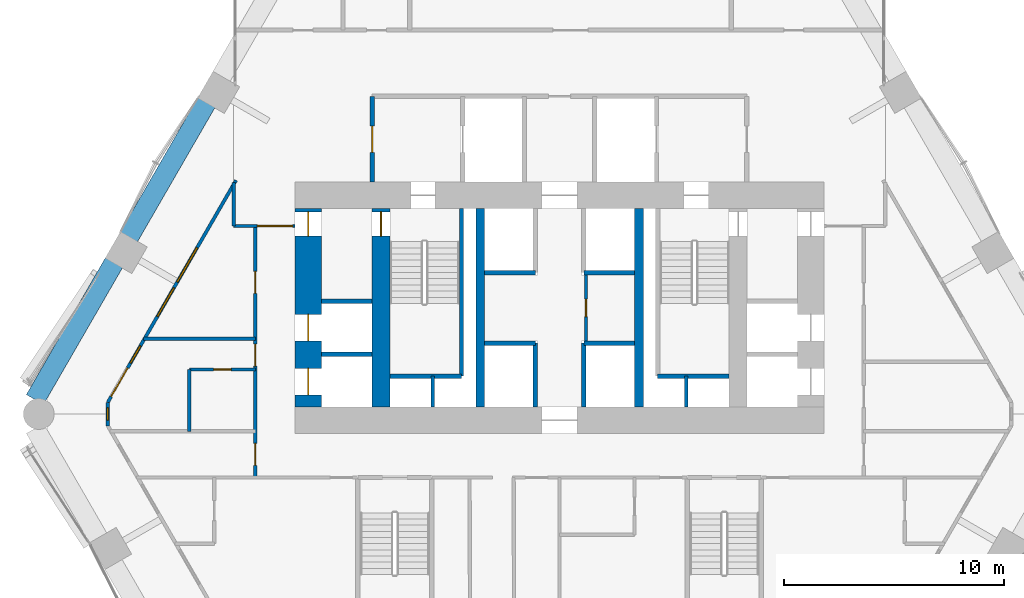
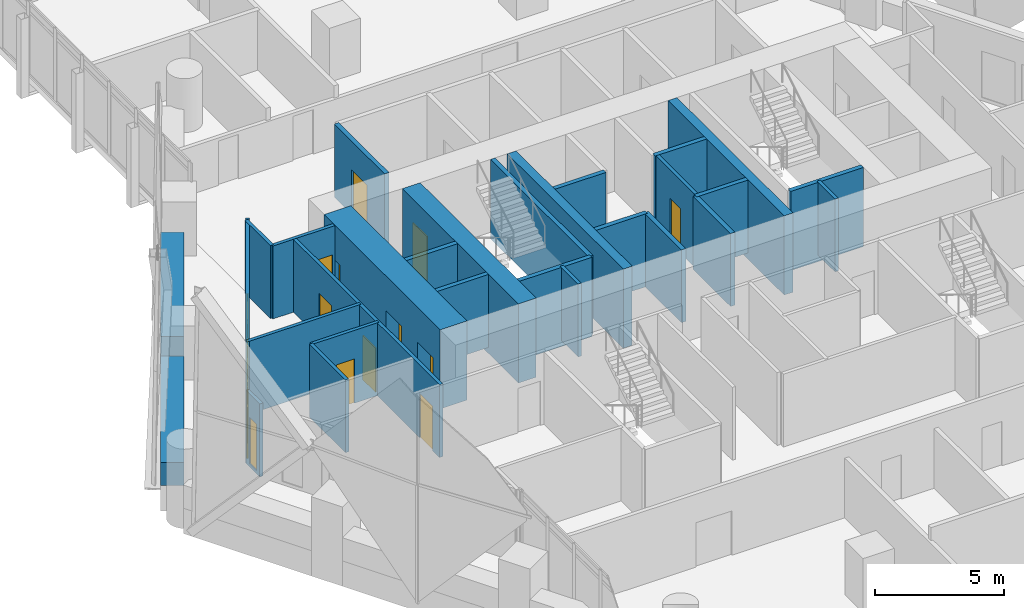
# One storey, part 28 of 35: 29 walls, 12 doors, 4 windows, 16 openings.
"""IFC4 building model written with IfcOpenShell, lengths in metres."""

from ifc_helpers import new_model, si_unit, direction, frame, frame_2d, origin, place, context, subcontext, project, spatial, rectangle, extrude, material, layer, layer_set, type_object, element, fill, save


model = new_model("IFC4")

# Units and contexts
model_context = context("Model", 3, precision=1e-05, world=origin(), true_north=direction((0.0, 1.0)))
body_context = subcontext(model_context, "Body", "Model", "MODEL_VIEW")
ifc_project = project(units=[si_unit("LENGTHUNIT", "METRE"), si_unit("AREAUNIT", "SQUARE_METRE"), si_unit("VOLUMEUNIT", "CUBIC_METRE"), si_unit("PLANEANGLEUNIT", "RADIAN"), si_unit("MASSUNIT", "GRAM", prefix="KILO")], contexts=[model_context])

# Site, building, storey
site_placement = place(None, origin())
site = spatial("IfcSite", under=ifc_project, at=site_placement, CompositionType="ELEMENT")
building_placement = place(site_placement, origin())
building = spatial("IfcBuilding", under=site, at=building_placement, Name="Ostrander Bayou Hotel Tower", CompositionType="ELEMENT")
storey_placement = place(building_placement, frame((0.0, 0.0, 69.25)))
storey = spatial("IfcBuildingStorey", under=building, at=storey_placement, Name="L17", CompositionType="ELEMENT", Elevation=69.25)

# Wall, openings, doors
ifc_material_1 = material(Name="Concrete f'c 70 MPa", Category="concrete")
ifc_layer_1 = layer(ifc_material_1, 1.199951171875)
ifc_layer_set_1 = layer_set([ifc_layer_1], Name="CW1 core wall 1200 mm f'c 70 MPa")
wall_type_1 = type_object("IfcWallType", Name="CW1 core wall 1200 mm f'c 70 MPa", PredefinedType="SHEAR", material=ifc_layer_set_1)
wall_1_placement = place(storey_placement, frame((-11.39990234375, -0.5, -0.300048828125), z_axis=(0.0, 0.0, 1.0), x_axis=(0.0, 1.0, 0.0)))
wall_1 = element("IfcWall", 1, at=wall_1_placement, inside=storey, type_object=wall_type_1, Name="CW1 L17 RW", PredefinedType="SHEAR", context=body_context, shape_type="SweptSolid", body=[
    extrude(rectangle(XDim=9.0, YDim=1.199951171875, at=frame_2d((4.5, 0.0))), origin(), (0.0, 0.0, 1.0), 3.75),
])
opening_1_placement = place(wall_1_placement, frame((7.75, 0.0, 0.0)))
opening_1 = element("IfcOpeningElement", 2, at=opening_1_placement, cuts=wall_1, Name="Opening T16-015", PredefinedType="OPENING", context=body_context, shape_type="SweptSolid", body=[
    extrude(rectangle(XDim=1.10009765625, YDim=2.10009765625, at=frame_2d((0.550048828125, 1.050048828125))), frame((0.0, 0.60009765625, 0.0), z_axis=(0.0, -1.0, 0.0), x_axis=(1.0, 0.0, 0.0)), (0.0, 0.0, 1.0), 1.199951171875),
])
opening_2_placement = place(wall_1_placement, frame((0.550048828125, 0.0, 0.0)))
opening_2 = element("IfcOpeningElement", 3, at=opening_2_placement, cuts=wall_1, Name="Opening T16-016", PredefinedType="OPENING", context=body_context, shape_type="SweptSolid", body=[
    extrude(rectangle(XDim=1.199951171875, YDim=2.10009765625, at=frame_2d((0.60009765625, 1.050048828125))), frame((0.0, 0.60009765625, 0.0), z_axis=(0.0, -1.0, 0.0), x_axis=(1.0, 0.0, 0.0)), (0.0, 0.0, 1.0), 1.199951171875),
])
opening_3_placement = place(wall_1_placement, frame((3.0, 0.0, 0.0)))
opening_3 = element("IfcOpeningElement", 4, at=opening_3_placement, cuts=wall_1, Name="Opening T16-017", PredefinedType="OPENING", context=body_context, shape_type="SweptSolid", body=[
    extrude(rectangle(XDim=1.199951171875, YDim=2.10009765625, at=frame_2d((0.60009765625, 1.050048828125))), frame((0.0, 0.60009765625, 0.0), z_axis=(0.0, -1.0, 0.0), x_axis=(1.0, 0.0, 0.0)), (0.0, 0.0, 1.0), 1.199951171875),
])
ifc_material_2 = material(Name="Timber door leaf", Category="wood")
door_type_1 = type_object("IfcDoorType", Name="D5 stair door 1100 x 2100 mm, 90 minute", OperationType="SINGLE_SWING_LEFT", PredefinedType="DOOR", material=ifc_material_2)
door_1_placement = place(opening_1_placement, origin())
door_1 = element("IfcDoor", 5, at=door_1_placement, inside=storey, type_object=door_type_1, Name="dr:L17:015", OperationType="SINGLE_SWING_LEFT", OverallHeight=2.10009765625, OverallWidth=1.10009765625, PredefinedType="DOOR", context=body_context, shape_type="SweptSolid", body=[
    extrude(rectangle(XDim=1.10009765625, YDim=2.10009765625, at=frame_2d((0.550048828125, 1.050048828125))), frame((0.0, 0.02490234375, 0.0), z_axis=(0.0, -1.0, 0.0), x_axis=(1.0, 0.0, 0.0)), (0.0, 0.0, 1.0), 0.050048828125),
])
fill(opening_1, door_1)
ifc_material_3 = material(Name="Stainless steel sliding door", Category="steel")
door_type_2 = type_object("IfcDoorType", Name="LD1 lift landing door 1200 x 2100 mm", OperationType="SINGLE_SWING_LEFT", PredefinedType="DOOR", material=ifc_material_3)
door_2_placement = place(opening_2_placement, origin())
door_2 = element("IfcDoor", 6, at=door_2_placement, inside=storey, type_object=door_type_2, Name="dr:L17:016", OperationType="SLIDING_TO_LEFT", OverallHeight=2.10009765625, OverallWidth=1.199951171875, PredefinedType="DOOR", context=body_context, shape_type="SweptSolid", body=[
    extrude(rectangle(XDim=1.199951171875, YDim=2.10009765625, at=frame_2d((0.60009765625, 1.050048828125))), frame((0.0, 0.02490234375, 0.0), z_axis=(0.0, -1.0, 0.0), x_axis=(1.0, 0.0, 0.0)), (0.0, 0.0, 1.0), 0.050048828125),
])
fill(opening_2, door_2)
door_3_placement = place(opening_3_placement, origin())
door_3 = element("IfcDoor", 7, at=door_3_placement, inside=storey, type_object=door_type_2, Name="dr:L17:017", OperationType="SLIDING_TO_LEFT", OverallHeight=2.10009765625, OverallWidth=1.199951171875, PredefinedType="DOOR", context=body_context, shape_type="SweptSolid", body=[
    extrude(rectangle(XDim=1.199951171875, YDim=2.10009765625, at=frame_2d((0.60009765625, 1.050048828125))), frame((0.0, 0.02490234375, 0.0), z_axis=(0.0, -1.0, 0.0), x_axis=(1.0, 0.0, 0.0)), (0.0, 0.0, 1.0), 0.050048828125),
])
fill(opening_3, door_3)

# Wall, opening, door
ifc_material_4 = material(Name="Concrete f'c 70 MPa", Category="concrete")
ifc_layer_2 = layer(ifc_material_4, 0.800048828125)
ifc_layer_set_2 = layer_set([ifc_layer_2], Name="CW2 core spine wall 800 mm f'c 70 MPa")
wall_type_2 = type_object("IfcWallType", Name="CW2 core spine wall 800 mm f'c 70 MPa", PredefinedType="SHEAR", material=ifc_layer_set_2)
wall_2_placement = place(storey_placement, frame((-8.10009765625, -0.5, -0.300048828125), z_axis=(0.0, 0.0, 1.0), x_axis=(0.0, 1.0, 0.0)))
wall_2 = element("IfcWall", 8, at=wall_2_placement, inside=storey, type_object=wall_type_2, Name="CW2 L17 W", PredefinedType="SHEAR", context=body_context, shape_type="SweptSolid", body=[
    extrude(rectangle(XDim=9.0, YDim=0.800048828125, at=frame_2d((4.5, 0.0))), origin(), (0.0, 0.0, 1.0), 3.75),
])
opening_4_placement = place(wall_2_placement, frame((7.75, 0.0, 0.0)))
opening_4 = element("IfcOpeningElement", 9, at=opening_4_placement, cuts=wall_2, Name="Opening T16-004", PredefinedType="OPENING", context=body_context, shape_type="SweptSolid", body=[
    extrude(rectangle(XDim=1.10009765625, YDim=2.10009765625, at=frame_2d((0.550048828125, 1.050048828125))), frame((0.0, 0.39990234375, 0.0), z_axis=(0.0, -1.0, 0.0), x_axis=(1.0, 0.0, 0.0)), (0.0, 0.0, 1.0), 0.800048828125),
])
door_4_placement = place(opening_4_placement, origin())
door_4 = element("IfcDoor", 10, at=door_4_placement, inside=storey, type_object=door_type_1, Name="dr:L17:004", OperationType="SINGLE_SWING_RIGHT", OverallHeight=2.10009765625, OverallWidth=1.10009765625, PredefinedType="DOOR", context=body_context, shape_type="SweptSolid", body=[
    extrude(rectangle(XDim=1.10009765625, YDim=2.10009765625, at=frame_2d((0.550048828125, 1.050048828125))), frame((0.0, 0.02490234375, 0.0), z_axis=(0.0, -1.0, 0.0), x_axis=(1.0, 0.0, 0.0)), (0.0, 0.0, 1.0), 0.050048828125),
])
fill(opening_4, door_4)

# Walls
ifc_material_5 = material(Name="Concrete f'c 70 MPa", Category="concrete")
ifc_layer_3 = layer(ifc_material_5, 0.39990234375)
ifc_layer_set_3 = layer_set([ifc_layer_3], Name="CW3 core bank wall 400 mm f'c 70 MPa")
wall_type_3 = type_object("IfcWallType", Name="CW3 core bank wall 400 mm f'c 70 MPa", PredefinedType="SHEAR", material=ifc_layer_set_3)
for number, where, z_axis, x_axis, name in (
    (11, (-3.60009765625, -0.5, -0.300048828125), (0.0, 0.0, 1.0), (0.0, 1.0, 0.0), "CW3 L17 CW"),
    (12, (3.60009765625, -0.5, -0.300048828125), (0.0, 0.0, 1.0), (0.0, 1.0, 0.0), "CW3 L17 CE"),
):
    element("IfcWall", number, at=place(storey_placement, frame(where, z_axis=z_axis, x_axis=x_axis)), inside=storey, type_object=wall_type_3, Name=name, PredefinedType="SHEAR", context=body_context, shape_type="SweptSolid", body=[
        extrude(rectangle(XDim=9.0, YDim=0.39990234375, at=frame_2d((4.5, 0.0))), origin(), (0.0, 0.0, 1.0), 3.75),
    ])

# Wall, openings, door, windows
ifc_material_6 = material(Name="Aluminium framed insulated wall", Category="aluminium")
ifc_layer_4 = layer(ifc_material_6, 0.14990234375)
ifc_layer_set_4 = layer_set([ifc_layer_4], Name="GW1 glass-line wall 150 mm")
wall_type_4 = type_object("IfcWallType", Name="GW1 glass-line wall 150 mm", PredefinedType="SOLIDWALL", material=ifc_layer_set_4)
wall_3_placement = place(storey_placement, frame((-14.678955078125, 9.788818359375, 0.0), z_axis=(0.0, 0.0, 1.0), x_axis=(-0.500001004067, -0.866024824085, 0.0)))
wall_3 = element("IfcWall", 13, at=wall_3_placement, inside=storey, type_object=wall_type_4, Name="GW1 L17 NW 1", PredefinedType="SOLIDWALL", context=body_context, shape_type="SweptSolid", body=[
    extrude(rectangle(XDim=11.63330078125, YDim=0.14990234375, at=frame_2d((5.816650390625, 0.0))), origin(), (0.0, 0.0, 1.0), 3.449951171875),
])
opening_5_placement = place(wall_3_placement, frame((3.537841796875, 0.0, 0.14990234375)))
opening_5 = element("IfcOpeningElement", 14, at=opening_5_placement, cuts=wall_3, Name="Opening W7", PredefinedType="OPENING", context=body_context, shape_type="SweptSolid", body=[
    extrude(rectangle(XDim=1.800048828125, YDim=2.199951171875, at=frame_2d((0.89990234375, 1.10009765625))), frame((0.0, 0.074951171875, 0.0), z_axis=(0.0, -1.0, 0.0), x_axis=(1.0, 0.0, 0.0)), (0.0, 0.0, 1.0), 0.14990234375),
])
opening_6_placement = place(wall_3_placement, frame((5.637939453125, 0.0, 0.14990234375)))
opening_6 = element("IfcOpeningElement", 15, at=opening_6_placement, cuts=wall_3, Name="Opening W11", PredefinedType="OPENING", context=body_context, shape_type="SweptSolid", body=[
    extrude(rectangle(XDim=1.5, YDim=2.199951171875, at=frame_2d((0.75, 1.10009765625))), frame((0.0, 0.074951171875, 0.0), z_axis=(0.0, -1.0, 0.0), x_axis=(1.0, 0.0, 0.0)), (0.0, 0.0, 1.0), 0.14990234375),
])
opening_7_placement = place(wall_3_placement, frame((8.6767578125, 0.0, 0.14990234375)))
opening_7 = element("IfcOpeningElement", 16, at=opening_7_placement, cuts=wall_3, Name="Opening W15", PredefinedType="OPENING", context=body_context, shape_type="SweptSolid", body=[
    extrude(rectangle(XDim=0.89990234375, YDim=2.199951171875, at=frame_2d((0.449951171875, 1.10009765625))), frame((0.0, 0.074951171875, 0.0), z_axis=(0.0, -1.0, 0.0), x_axis=(1.0, 0.0, 0.0)), (0.0, 0.0, 1.0), 0.14990234375),
])
opening_8_placement = place(wall_3_placement, frame((9.837890625, 0.0, 0.0)))
opening_8 = element("IfcOpeningElement", 17, at=opening_8_placement, cuts=wall_3, Name="Opening T16-800", PredefinedType="OPENING", context=body_context, shape_type="SweptSolid", body=[
    extrude(rectangle(XDim=1.5, YDim=2.39990234375, at=frame_2d((0.75, 1.199951171875))), frame((0.0, 0.074951171875, 0.0), z_axis=(0.0, -1.0, 0.0), x_axis=(1.0, 0.0, 0.0)), (0.0, 0.0, 1.0), 0.14990234375),
])
ifc_material_7 = material(Name="Aluminium and clear glass", Category="aluminium")
door_type_3 = type_object("IfcDoorType", Name="SD1 sliding glass door 1500 mm, zone 1", OperationType="SLIDING_TO_LEFT", PredefinedType="DOOR", material=ifc_material_7)
door_5_placement = place(opening_8_placement, origin())
door_5 = element("IfcDoor", 18, at=door_5_placement, inside=storey, type_object=door_type_3, Name="SD1 L17 NW 5", OperationType="SLIDING_TO_LEFT", OverallHeight=2.39990234375, OverallWidth=1.5, PredefinedType="DOOR", context=body_context, shape_type="SweptSolid", body=[
    extrude(rectangle(XDim=1.5, YDim=2.39990234375, at=frame_2d((0.75, 1.199951171875))), frame((0.0, 0.02490234375, 0.0), z_axis=(0.0, -1.0, 0.0), x_axis=(1.0, 0.0, 0.0)), (0.0, 0.0, 1.0), 0.050048828125),
])
fill(opening_8, door_5)
ifc_material_8 = material(Name="Aluminium and clear glass", Category="aluminium")
window_type_1 = type_object("IfcWindowType", Name="W11 fixed window 1500 mm, bath bay, zone 1", PartitioningType="SINGLE_PANEL", PredefinedType="WINDOW", material=ifc_material_8)
window_1_placement = place(opening_6_placement, origin())
window_1 = element("IfcWindow", 19, at=window_1_placement, inside=storey, type_object=window_type_1, Name="W11 L17 NW 4", OverallHeight=2.199951171875, OverallWidth=1.5, PartitioningType="SINGLE_PANEL", PredefinedType="WINDOW", context=body_context, shape_type="SweptSolid", body=[
    extrude(rectangle(XDim=1.5, YDim=2.199951171875, at=frame_2d((0.75, 1.10009765625))), frame((0.0, 0.030029296875, 0.0), z_axis=(0.0, -1.0, 0.0), x_axis=(1.0, 0.0, 0.0)), (0.0, 0.0, 1.0), 0.06005859375),
])
fill(opening_6, window_1)
ifc_material_9 = material(Name="Aluminium and clear glass", Category="aluminium")
window_type_2 = type_object("IfcWindowType", Name="W15 window 900 mm, zone 1", PartitioningType="SINGLE_PANEL", PredefinedType="WINDOW", material=ifc_material_9)
window_2_placement = place(opening_7_placement, origin())
window_2 = element("IfcWindow", 20, at=window_2_placement, inside=storey, type_object=window_type_2, Name="W15 L17 NW 5", OverallHeight=2.199951171875, OverallWidth=0.89990234375, PartitioningType="SINGLE_PANEL", PredefinedType="WINDOW", context=body_context, shape_type="SweptSolid", body=[
    extrude(rectangle(XDim=0.89990234375, YDim=2.199951171875, at=frame_2d((0.449951171875, 1.10009765625))), frame((0.0, 0.030029296875, 0.0), z_axis=(0.0, -1.0, 0.0), x_axis=(1.0, 0.0, 0.0)), (0.0, 0.0, 1.0), 0.06005859375),
])
fill(opening_7, window_2)
ifc_material_10 = material(Name="Aluminium and clear glass", Category="aluminium")
window_type_3 = type_object("IfcWindowType", Name="W7 fixed window 1800 mm, bar storeys, zone 1", PartitioningType="SINGLE_PANEL", PredefinedType="WINDOW", material=ifc_material_10)
window_3_placement = place(opening_5_placement, origin())
window_3 = element("IfcWindow", 21, at=window_3_placement, inside=storey, type_object=window_type_3, Name="W7 L17 NW 4", OverallHeight=2.199951171875, OverallWidth=1.800048828125, PartitioningType="SINGLE_PANEL", PredefinedType="WINDOW", context=body_context, shape_type="SweptSolid", body=[
    extrude(rectangle(XDim=1.800048828125, YDim=2.199951171875, at=frame_2d((0.89990234375, 1.10009765625))), frame((0.0, 0.030029296875, 0.0), z_axis=(0.0, -1.0, 0.0), x_axis=(1.0, 0.0, 0.0)), (0.0, 0.0, 1.0), 0.06005859375),
])
fill(opening_5, window_3)

# Wall, opening, window
wall_4_placement = place(storey_placement, frame((-20.49560546875, -0.285888671875, 0.0), z_axis=(0.0, 0.0, 1.0), x_axis=(0.0, -1.0, 0.0)))
wall_4 = element("IfcWall", 22, at=wall_4_placement, inside=storey, type_object=wall_type_4, Name="GW1 L17 corner 2", PredefinedType="SOLIDWALL", context=body_context, shape_type="SweptSolid", body=[
    extrude(rectangle(XDim=1.06494140625, YDim=0.14990234375, at=frame_2d((0.532470703125, 0.0))), origin(), (0.0, 0.0, 1.0), 3.449951171875),
])
opening_9_placement = place(wall_4_placement, frame((0.257568359375, 0.0, 0.14990234375)))
opening_9 = element("IfcOpeningElement", 23, at=opening_9_placement, cuts=wall_4, Name="Opening W19", PredefinedType="OPENING", context=body_context, shape_type="SweptSolid", body=[
    extrude(rectangle(XDim=0.550048828125, YDim=2.199951171875, at=frame_2d((0.27490234375, 1.10009765625))), frame((0.0, 0.074951171875, 0.0), z_axis=(0.0, -1.0, 0.0), x_axis=(1.0, 0.0, 0.0)), (0.0, 0.0, 1.0), 0.14990234375),
])
ifc_material_11 = material(Name="Aluminium and clear glass", Category="aluminium")
window_type_4 = type_object("IfcWindowType", Name="W19 corner window 550 mm", PartitioningType="SINGLE_PANEL", PredefinedType="WINDOW", material=ifc_material_11)
window_4_placement = place(opening_9_placement, origin())
window_4 = element("IfcWindow", 24, at=window_4_placement, inside=storey, type_object=window_type_4, Name="W19 L17 corner 2", OverallHeight=2.199951171875, OverallWidth=0.550048828125, PartitioningType="SINGLE_PANEL", PredefinedType="WINDOW", context=body_context, shape_type="SweptSolid", body=[
    extrude(rectangle(XDim=0.550048828125, YDim=2.199951171875, at=frame_2d((0.27490234375, 1.10009765625))), frame((0.0, 0.030029296875, 0.0), z_axis=(0.0, -1.0, 0.0), x_axis=(1.0, 0.0, 0.0)), (0.0, 0.0, 1.0), 0.06005859375),
])
fill(opening_9, window_4)

# Walls
ifc_material_12 = material(Name="Concrete f'c 40 MPa", Category="concrete")
ifc_layer_5 = layer(ifc_material_12, 0.89990234375)
ifc_layer_set_5 = layer_set([ifc_layer_5], Name="PA1 stone-faced parapet 900 mm")
wall_type_5 = type_object("IfcWallType", Name="PA1 stone-faced parapet 900 mm", PredefinedType="PARAPET", material=ifc_layer_set_5)
wall_5_placement = place(storey_placement, frame((-16.018310546875, 13.319091796875, 0.0), z_axis=(0.0, 0.0, 1.0), x_axis=(-0.499997206141, -0.866027016814, 0.0)))
element("IfcWall", 25, at=wall_5_placement, inside=storey, type_object=wall_type_5, Name="PA1 L17 NW-2", PredefinedType="PARAPET", context=body_context, shape_type="SweptSolid", body=[
    extrude(rectangle(XDim=7.05078125, YDim=0.89990234375, at=frame_2d((3.525390625, 0.0))), origin(), (0.0, 0.0, 1.0), 1.10009765625),
])
wall_6_placement = place(storey_placement, frame((-20.213623046875, 6.05224609375, 0.0), z_axis=(0.0, 0.0, 1.0), x_axis=(-0.500014005679, -0.866017317451, 0.0)))
element("IfcWall", 26, at=wall_6_placement, inside=storey, type_object=wall_type_5, Name="PA1 L17 NW-3", PredefinedType="PARAPET", context=body_context, shape_type="SweptSolid", body=[
    extrude(rectangle(XDim=7.176025390625, YDim=0.89990234375, at=frame_2d((3.587890625, 0.0))), origin(), (0.0, 0.0, 1.0), 1.10009765625),
])

# Wall, opening, door
ifc_material_13 = material(Name="Masonry block", Category="masonry")
ifc_layer_6 = layer(ifc_material_13, 0.199951171875)
ifc_layer_set_6 = layer_set([ifc_layer_6], Name="PT5 stair enclosure wall 200 mm masonry, 2 hour")
wall_type_6 = type_object("IfcWallType", Name="PT5 stair enclosure wall 200 mm masonry, 2 hour", PredefinedType="PARTITIONING", material=ifc_layer_set_6)
wall_7_placement = place(storey_placement, frame((-8.5, 9.699951171875, 0.0), z_axis=(0.0, 0.0, 1.0), x_axis=(0.0, 1.0, 0.0)))
wall_7 = element("IfcWall", 27, at=wall_7_placement, inside=storey, type_object=wall_type_6, Name="cs:L17:024", PredefinedType="PARTITIONING", context=body_context, shape_type="SweptSolid", body=[
    extrude(rectangle(XDim=3.900146484375, YDim=0.199951171875, at=frame_2d((1.9501953125, 0.0))), origin(), (0.0, 0.0, 1.0), 3.449951171875),
])
opening_10_placement = place(wall_7_placement, frame((1.35009765625, 0.0, 0.0)))
opening_10 = element("IfcOpeningElement", 28, at=opening_10_placement, cuts=wall_7, Name="Opening T16-010", PredefinedType="OPENING", context=body_context, shape_type="SweptSolid", body=[
    extrude(rectangle(XDim=1.199951171875, YDim=2.10009765625, at=frame_2d((0.60009765625, 1.050048828125))), frame((0.0, 0.10009765625, 0.0), z_axis=(0.0, -1.0, 0.0), x_axis=(1.0, 0.0, 0.0)), (0.0, 0.0, 1.0), 0.199951171875),
])
ifc_material_14 = material(Name="Timber door leaf", Category="wood")
door_type_4 = type_object("IfcDoorType", Name="D7 lobby door 1200 x 2100 mm, 1 hour", OperationType="SINGLE_SWING_LEFT", PredefinedType="DOOR", material=ifc_material_14)
door_6_placement = place(opening_10_placement, origin())
door_6 = element("IfcDoor", 29, at=door_6_placement, inside=storey, type_object=door_type_4, Name="dr:L17:010", OperationType="SINGLE_SWING_LEFT", OverallHeight=2.10009765625, OverallWidth=1.199951171875, PredefinedType="DOOR", context=body_context, shape_type="SweptSolid", body=[
    extrude(rectangle(XDim=1.199951171875, YDim=2.10009765625, at=frame_2d((0.60009765625, 1.050048828125))), frame((0.0, 0.02490234375, 0.0), z_axis=(0.0, -1.0, 0.0), x_axis=(1.0, 0.0, 0.0)), (0.0, 0.0, 1.0), 0.050048828125),
])
fill(opening_10, door_6)

# Walls
ifc_material_15 = material(Name="Masonry block", Category="masonry")
ifc_layer_7 = layer(ifc_material_15, 0.199951171875)
ifc_layer_set_7 = layer_set([ifc_layer_7], Name="PT6 lift shaft wall 200 mm masonry, 2 hour")
wall_type_7 = type_object("IfcWallType", Name="PT6 lift shaft wall 200 mm masonry, 2 hour", PredefinedType="PARTITIONING", material=ifc_layer_set_7)
for number, where, z_axis, x_axis, name in (
    (30, (-3.39990234375, 2.39990234375, 0.0), (0.0, 0.0, 1.0), (1.0, 0.0, 0.0), "cs:L17:001"),
    (31, (-3.39990234375, 5.60009765625, 0.0), (0.0, 0.0, 1.0), (1.0, 0.0, 0.0), "cs:L17:002"),
    (32, (1.10009765625, 2.39990234375, 0.0), (0.0, 0.0, 1.0), (1.0, 0.0, 0.0), "cs:L17:003"),
    (33, (1.10009765625, 5.60009765625, 0.0), (0.0, 0.0, 1.0), (1.0, 0.0, 0.0), "cs:L17:004"),
):
    element("IfcWall", number, at=place(storey_placement, frame(where, z_axis=z_axis, x_axis=x_axis)), inside=storey, type_object=wall_type_7, Name=name, PredefinedType="PARTITIONING", context=body_context, shape_type="SweptSolid", body=[
        extrude(rectangle(XDim=2.2998046875, YDim=0.199951171875, at=frame_2d((1.14990234375, 0.0))), origin(), (0.0, 0.0, 1.0), 3.449951171875),
    ])
for number, where, z_axis, x_axis, name in (
    (34, (-1.10009765625, -0.5, 0.0), (0.0, 0.0, 1.0), (0.0, 1.0, 0.0), "cs:L17:005"),
    (35, (1.10009765625, -0.5, 0.0), (0.0, 0.0, 1.0), (0.0, 1.0, 0.0), "cs:L17:006"),
):
    element("IfcWall", number, at=place(storey_placement, frame(where, z_axis=z_axis, x_axis=x_axis)), inside=storey, type_object=wall_type_7, Name=name, PredefinedType="PARTITIONING", context=body_context, shape_type="SweptSolid", body=[
        extrude(rectangle(XDim=2.89990234375, YDim=0.199951171875, at=frame_2d((1.449951171875, 0.0))), origin(), (0.0, 0.0, 1.0), 3.449951171875),
    ])
for number, where, z_axis, x_axis, name in (
    (36, (-10.800048828125, 1.89990234375, 0.0), (0.0, 0.0, 1.0), (1.0, 0.0, 0.0), "cs:L17:031"),
    (37, (-10.800048828125, 4.300048828125, 0.0), (0.0, 0.0, 1.0), (1.0, 0.0, 0.0), "cs:L17:032"),
):
    element("IfcWall", number, at=place(storey_placement, frame(where, z_axis=z_axis, x_axis=x_axis)), inside=storey, type_object=wall_type_7, Name=name, PredefinedType="PARTITIONING", context=body_context, shape_type="SweptSolid", body=[
        extrude(rectangle(XDim=2.300048828125, YDim=0.199951171875, at=frame_2d((1.14990234375, 0.0))), origin(), (0.0, 0.0, 1.0), 3.449951171875),
    ])
ifc_material_16 = material(Name="Gypsum board partition", Category="finish")
ifc_layer_8 = layer(ifc_material_16, 0.14990234375)
ifc_layer_set_8 = layer_set([ifc_layer_8], Name="PT7 riser wall 150 mm, 2 hour")
wall_type_8 = type_object("IfcWallType", Name="PT7 riser wall 150 mm, 2 hour", PredefinedType="PARTITIONING", material=ifc_layer_set_8)
for number, where, z_axis, x_axis, name in (
    (38, (-5.75, -0.5, 0.0), (0.0, 0.0, 1.0), (0.0, 1.0, 0.0), "cs:L17:011"),
    (39, (5.75, -0.5, 0.0), (0.0, 0.0, 1.0), (0.0, 1.0, 0.0), "cs:L17:014"),
):
    element("IfcWall", number, at=place(storey_placement, frame(where, z_axis=z_axis, x_axis=x_axis)), inside=storey, type_object=wall_type_8, Name=name, PredefinedType="PARTITIONING", context=body_context, shape_type="SweptSolid", body=[
        extrude(rectangle(XDim=1.39990234375, YDim=0.14990234375, at=frame_2d((0.699951171875, 0.0))), origin(), (0.0, 0.0, 1.0), 3.449951171875),
    ])

# Wall, opening, door
wall_8_placement = place(storey_placement, frame((1.199951171875, 2.5, 0.0), z_axis=(0.0, 0.0, 1.0), x_axis=(0.0, 1.0, 0.0)))
wall_8 = element("IfcWall", 40, at=wall_8_placement, inside=storey, type_object=wall_type_8, Name="cs:L17:030", PredefinedType="PARTITIONING", context=body_context, shape_type="SweptSolid", body=[
    extrude(rectangle(XDim=3.0, YDim=0.14990234375, at=frame_2d((1.5, 0.0))), origin(), (0.0, 0.0, 1.0), 3.449951171875),
])
opening_11_placement = place(wall_8_placement, frame((1.10009765625, 0.0, 0.0)))
opening_11 = element("IfcOpeningElement", 41, at=opening_11_placement, cuts=wall_8, Name="Opening T16-014", PredefinedType="OPENING", context=body_context, shape_type="SweptSolid", body=[
    extrude(rectangle(XDim=0.800048828125, YDim=2.10009765625, at=frame_2d((0.39990234375, 1.050048828125))), frame((0.0, 0.074951171875, 0.0), z_axis=(0.0, -1.0, 0.0), x_axis=(1.0, 0.0, 0.0)), (0.0, 0.0, 1.0), 0.14990234375),
])
ifc_material_17 = material(Name="Timber door leaf", Category="wood")
door_type_5 = type_object("IfcDoorType", Name="D6 riser door 800 x 2100 mm, 90 minute", OperationType="SINGLE_SWING_LEFT", PredefinedType="DOOR", material=ifc_material_17)
door_7_placement = place(opening_11_placement, origin())
door_7 = element("IfcDoor", 42, at=door_7_placement, inside=storey, type_object=door_type_5, Name="dr:L17:014", OperationType="SINGLE_SWING_RIGHT", OverallHeight=2.10009765625, OverallWidth=0.800048828125, PredefinedType="DOOR", context=body_context, shape_type="SweptSolid", body=[
    extrude(rectangle(XDim=0.800048828125, YDim=2.10009765625, at=frame_2d((0.39990234375, 1.050048828125))), frame((0.0, 0.02490234375, 0.0), z_axis=(0.0, -1.0, 0.0), x_axis=(1.0, 0.0, 0.0)), (0.0, 0.0, 1.0), 0.050048828125),
])
fill(opening_11, door_7)

ifc_material_18 = material(Name="Gypsum board partition", Category="finish")
ifc_layer_9 = layer(ifc_material_18, 0.14990234375)
ifc_layer_set_9 = layer_set([ifc_layer_9], Name="PT8 service band wall 150 mm, 1 hour")
wall_type_9 = type_object("IfcWallType", Name="PT8 service band wall 150 mm, 1 hour", PredefinedType="PARTITIONING", material=ifc_layer_set_9)
wall_9_placement = place(storey_placement, frame((-16.800048828125, 1.199951171875, 0.0), z_axis=(0.0, 0.0, 1.0), x_axis=(1.0, 0.0, 0.0)))
wall_9 = element("IfcWall", 43, at=wall_9_placement, inside=storey, type_object=wall_type_9, Name="gw:L17:013", PredefinedType="PARTITIONING", context=body_context, shape_type="SweptSolid", body=[
    extrude(rectangle(XDim=3.0, YDim=0.14990234375, at=frame_2d((1.5, 0.0))), origin(), (0.0, 0.0, 1.0), 3.449951171875),
])
opening_12_placement = place(wall_9_placement, frame((1.10009765625, 0.0, 0.0)))
opening_12 = element("IfcOpeningElement", 44, at=opening_12_placement, cuts=wall_9, Name="Opening T16-409", PredefinedType="OPENING", context=body_context, shape_type="SweptSolid", body=[
    extrude(rectangle(XDim=0.800048828125, YDim=2.10009765625, at=frame_2d((0.39990234375, 1.050048828125))), frame((0.0, 0.074951171875, 0.0), z_axis=(0.0, -1.0, 0.0), x_axis=(1.0, 0.0, 0.0)), (0.0, 0.0, 1.0), 0.14990234375),
])
ifc_material_19 = material(Name="Timber door leaf", Category="wood")
door_type_6 = type_object("IfcDoorType", Name="D2 bathroom door 800 x 2100 mm", OperationType="SINGLE_SWING_LEFT", PredefinedType="DOOR", material=ifc_material_19)
door_8_placement = place(opening_12_placement, origin())
door_8 = element("IfcDoor", 45, at=door_8_placement, inside=storey, type_object=door_type_6, Name="dr:L17:409", OperationType="SINGLE_SWING_RIGHT", OverallHeight=2.10009765625, OverallWidth=0.800048828125, PredefinedType="DOOR", context=body_context, shape_type="SweptSolid", body=[
    extrude(rectangle(XDim=0.800048828125, YDim=2.10009765625, at=frame_2d((0.39990234375, 1.050048828125))), frame((0.0, 0.02490234375, 0.0), z_axis=(0.0, -1.0, 0.0), x_axis=(1.0, 0.0, 0.0)), (0.0, 0.0, 1.0), 0.050048828125),
])
fill(opening_12, door_8)

# Wall
wall_10_placement = place(storey_placement, frame((-18.881103515625, 2.60009765625, 0.0), z_axis=(0.0, 0.0, 1.0), x_axis=(1.0, 0.0, 0.0)))
element("IfcWall", 46, at=wall_10_placement, inside=storey, type_object=wall_type_9, Name="gw:L17:015", PredefinedType="PARTITIONING", context=body_context, shape_type="SweptSolid", body=[
    extrude(rectangle(XDim=5.0810546875, YDim=0.14990234375, at=frame_2d((2.54052734375, 0.0))), origin(), (0.0, 0.0, 1.0), 3.449951171875),
])

# Wall, opening, door
wall_11_placement = place(storey_placement, frame((-14.784912109375, 7.715087890625, 0.0), z_axis=(0.0, 0.0, 1.0), x_axis=(1.0, 0.0, 0.0)))
wall_11 = element("IfcWall", 47, at=wall_11_placement, inside=storey, type_object=wall_type_9, Name="gw:L17:016", PredefinedType="PARTITIONING", context=body_context, shape_type="SweptSolid", body=[
    extrude(rectangle(XDim=2.77490234375, YDim=0.14990234375, at=frame_2d((1.387451171875, 0.0))), origin(), (0.0, 0.0, 1.0), 3.449951171875),
])
opening_13_placement = place(wall_11_placement, frame((1.074951171875, 0.0, 0.0)))
opening_13 = element("IfcOpeningElement", 48, at=opening_13_placement, cuts=wall_11, Name="Opening T16-1211", PredefinedType="OPENING", context=body_context, shape_type="SweptSolid", body=[
    extrude(rectangle(XDim=1.60009765625, YDim=2.10009765625, at=frame_2d((0.800048828125, 1.050048828125))), frame((0.0, 0.074951171875, 0.0), z_axis=(0.0, -1.0, 0.0), x_axis=(1.0, 0.0, 0.0)), (0.0, 0.0, 1.0), 0.14990234375),
])
ifc_material_20 = material(Name="Timber door leaf", Category="wood")
door_type_7 = type_object("IfcDoorType", Name="D13 double door 1600 x 2100 mm, 1 hour", OperationType="SINGLE_SWING_LEFT", PredefinedType="DOOR", material=ifc_material_20)
door_9_placement = place(opening_13_placement, origin())
door_9 = element("IfcDoor", 49, at=door_9_placement, inside=storey, type_object=door_type_7, Name="dr:L17:1211", OperationType="DOUBLE_DOOR_SINGLE_SWING", OverallHeight=2.10009765625, OverallWidth=1.60009765625, PredefinedType="DOOR", context=body_context, shape_type="SweptSolid", body=[
    extrude(rectangle(XDim=1.60009765625, YDim=2.10009765625, at=frame_2d((0.800048828125, 1.050048828125))), frame((0.0, 0.02490234375, 0.0), z_axis=(0.0, -1.0, 0.0), x_axis=(1.0, 0.0, 0.0)), (0.0, 0.0, 1.0), 0.050048828125),
])
fill(opening_13, door_9)

# Wall, openings, doors
wall_12_placement = place(storey_placement, frame((-13.800048828125, -3.699951171875, 0.0), z_axis=(0.0, 0.0, 1.0), x_axis=(0.0, 1.0, 0.0)))
wall_12 = element("IfcWall", 50, at=wall_12_placement, inside=storey, type_object=wall_type_9, Name="gw:L17:024", PredefinedType="PARTITIONING", context=body_context, shape_type="SweptSolid", body=[
    extrude(rectangle(XDim=11.4150390625, YDim=0.14990234375, at=frame_2d((5.70751953125, 0.0))), origin(), (0.0, 0.0, 1.0), 3.449951171875),
])
opening_14_placement = place(wall_12_placement, frame((0.550048828125, 0.0, 0.0)))
opening_14 = element("IfcOpeningElement", 51, at=opening_14_placement, cuts=wall_12, Name="Opening T16-407", PredefinedType="OPENING", context=body_context, shape_type="SweptSolid", body=[
    extrude(rectangle(XDim=1.0, YDim=2.10009765625, at=frame_2d((0.5, 1.050048828125))), frame((0.0, 0.074951171875, 0.0), z_axis=(0.0, -1.0, 0.0), x_axis=(1.0, 0.0, 0.0)), (0.0, 0.0, 1.0), 0.14990234375),
])
opening_15_placement = place(wall_12_placement, frame((5.050048828125, 0.0, 0.0)))
opening_15 = element("IfcOpeningElement", 52, at=opening_15_placement, cuts=wall_12, Name="Opening T16-408", PredefinedType="OPENING", context=body_context, shape_type="SweptSolid", body=[
    extrude(rectangle(XDim=1.0, YDim=2.10009765625, at=frame_2d((0.5, 1.050048828125))), frame((0.0, 0.074951171875, 0.0), z_axis=(0.0, -1.0, 0.0), x_axis=(1.0, 0.0, 0.0)), (0.0, 0.0, 1.0), 0.14990234375),
])
opening_16_placement = place(wall_12_placement, frame((8.35791015625, 0.0, 0.0)))
opening_16 = element("IfcOpeningElement", 53, at=opening_16_placement, cuts=wall_12, Name="Opening T16-410", PredefinedType="OPENING", context=body_context, shape_type="SweptSolid", body=[
    extrude(rectangle(XDim=1.0, YDim=2.10009765625, at=frame_2d((0.5, 1.050048828125))), frame((0.0, 0.074951171875, 0.0), z_axis=(0.0, -1.0, 0.0), x_axis=(1.0, 0.0, 0.0)), (0.0, 0.0, 1.0), 0.14990234375),
])
ifc_material_21 = material(Name="Timber door leaf", Category="wood")
door_type_8 = type_object("IfcDoorType", Name="D1 guest room door 1000 x 2100 mm, 30 minute", OperationType="SINGLE_SWING_LEFT", PredefinedType="DOOR", material=ifc_material_21)
door_10_placement = place(opening_15_placement, origin())
door_10 = element("IfcDoor", 54, at=door_10_placement, inside=storey, type_object=door_type_8, Name="dr:L17:408", OperationType="SINGLE_SWING_RIGHT", OverallHeight=2.10009765625, OverallWidth=1.0, PredefinedType="DOOR", context=body_context, shape_type="SweptSolid", body=[
    extrude(rectangle(XDim=1.0, YDim=2.10009765625, at=frame_2d((0.5, 1.050048828125))), frame((0.0, 0.02490234375, 0.0), z_axis=(0.0, -1.0, 0.0), x_axis=(1.0, 0.0, 0.0)), (0.0, 0.0, 1.0), 0.050048828125),
])
fill(opening_15, door_10)
ifc_material_22 = material(Name="Timber door leaf", Category="wood")
door_type_9 = type_object("IfcDoorType", Name="D9 service door 1000 x 2100 mm, 30 minute", OperationType="SINGLE_SWING_LEFT", PredefinedType="DOOR", material=ifc_material_22)
door_11_placement = place(opening_14_placement, origin())
door_11 = element("IfcDoor", 55, at=door_11_placement, inside=storey, type_object=door_type_9, Name="dr:L17:407", OperationType="SINGLE_SWING_LEFT", OverallHeight=2.10009765625, OverallWidth=1.0, PredefinedType="DOOR", context=body_context, shape_type="SweptSolid", body=[
    extrude(rectangle(XDim=1.0, YDim=2.10009765625, at=frame_2d((0.5, 1.050048828125))), frame((0.0, 0.02490234375, 0.0), z_axis=(0.0, -1.0, 0.0), x_axis=(1.0, 0.0, 0.0)), (0.0, 0.0, 1.0), 0.050048828125),
])
fill(opening_14, door_11)
door_12_placement = place(opening_16_placement, origin())
door_12 = element("IfcDoor", 56, at=door_12_placement, inside=storey, type_object=door_type_9, Name="dr:L17:410", OperationType="SINGLE_SWING_LEFT", OverallHeight=2.10009765625, OverallWidth=1.0, PredefinedType="DOOR", context=body_context, shape_type="SweptSolid", body=[
    extrude(rectangle(XDim=1.0, YDim=2.10009765625, at=frame_2d((0.5, 1.050048828125))), frame((0.0, 0.02490234375, 0.0), z_axis=(0.0, -1.0, 0.0), x_axis=(1.0, 0.0, 0.0)), (0.0, 0.0, 1.0), 0.050048828125),
])
fill(opening_16, door_12)

# Walls
wall_13_placement = place(storey_placement, frame((-14.784912109375, 7.715087890625, 0.0), z_axis=(0.0, 0.0, 1.0), x_axis=(0.0, 1.0, 0.0)))
element("IfcWall", 57, at=wall_13_placement, inside=storey, type_object=wall_type_9, Name="gw:L17:026", PredefinedType="PARTITIONING", context=body_context, shape_type="SweptSolid", body=[
    extrude(rectangle(XDim=1.97998046875, YDim=0.14990234375, at=frame_2d((0.989990234375, 0.0))), origin(), (0.0, 0.0, 1.0), 3.449951171875),
])
wall_14_placement = place(storey_placement, frame((-16.800048828125, -1.60009765625, 0.0), z_axis=(0.0, 0.0, 1.0), x_axis=(0.0, 1.0, 0.0)))
element("IfcWall", 58, at=wall_14_placement, inside=storey, type_object=wall_type_9, Name="gw:L17:028", PredefinedType="PARTITIONING", context=body_context, shape_type="SweptSolid", body=[
    extrude(rectangle(XDim=2.800048828125, YDim=0.14990234375, at=frame_2d((1.39990234375, 0.0))), origin(), (0.0, 0.0, 1.0), 3.449951171875),
])
ifc_material_23 = material(Name="Concrete f'c 45 MPa", Category="concrete")
ifc_layer_10 = layer(ifc_material_23, 0.199951171875)
ifc_layer_set_10 = layer_set([ifc_layer_10], Name="SW5 stair enclosure wall 200 mm f'c 45 MPa")
wall_type_10 = type_object("IfcWallType", Name="SW5 stair enclosure wall 200 mm f'c 45 MPa", PredefinedType="SOLIDWALL", material=ifc_layer_set_10)
wall_15_placement = place(storey_placement, frame((-4.449951171875, 0.89990234375, -0.300048828125), z_axis=(0.0, 0.0, 1.0), x_axis=(0.0, 1.0, 0.0)))
element("IfcWall", 59, at=wall_15_placement, inside=storey, type_object=wall_type_10, Name="cs:L17:009", PredefinedType="SOLIDWALL", context=body_context, shape_type="SweptSolid", body=[
    extrude(rectangle(XDim=7.60009765625, YDim=0.199951171875, at=frame_2d((3.800048828125, 0.0))), origin(), (0.0, 0.0, 1.0), 3.75),
])
for number, where, z_axis, x_axis, name in (
    (60, (-7.699951171875, 0.89990234375, -0.300048828125), (0.0, 0.0, 1.0), (1.0, 0.0, 0.0), "cs:L17:010"),
    (61, (4.449951171875, 0.89990234375, -0.300048828125), (0.0, 0.0, 1.0), (1.0, 0.0, 0.0), "cs:L17:013"),
):
    element("IfcWall", number, at=place(storey_placement, frame(where, z_axis=z_axis, x_axis=x_axis)), inside=storey, type_object=wall_type_10, Name=name, PredefinedType="SOLIDWALL", context=body_context, shape_type="SweptSolid", body=[
        extrude(rectangle(XDim=3.25, YDim=0.199951171875, at=frame_2d((1.625, 0.0))), origin(), (0.0, 0.0, 1.0), 3.75),
    ])

save(model, "model.ifc")
